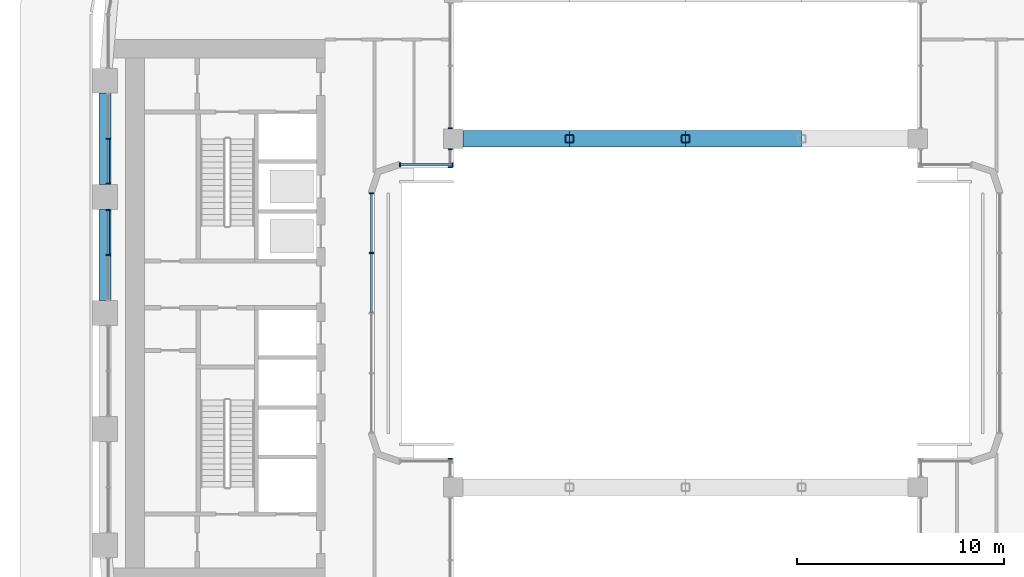
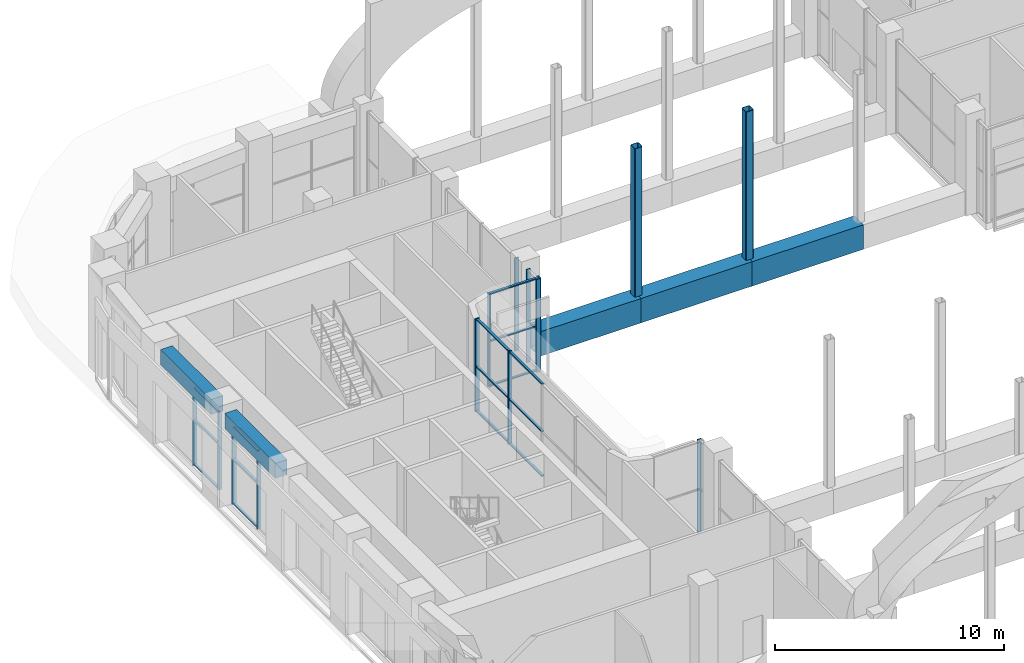
# One storey, part 4 of 28: 32 members, 2 beams, 7 elements without a shape of their own.
"""IFC4 building model written with IfcOpenShell, lengths in metres."""

from ifc_helpers import new_model, si_unit, direction, frame, origin, origin_2d, place, context, subcontext, project, spatial, rectangle, hollow_rectangle, extrude, material, layer, layer_set, material_profile, profile_set, type_object, element, aggregate, save


model = new_model("IFC4")

# Units and contexts
model_context = context("Model", 3, precision=1e-05, world=origin(), true_north=direction((0.0, 1.0)))
body_context = subcontext(model_context, "Body", "Model", "MODEL_VIEW")
ifc_project = project(units=[si_unit("LENGTHUNIT", "METRE"), si_unit("AREAUNIT", "SQUARE_METRE"), si_unit("VOLUMEUNIT", "CUBIC_METRE"), si_unit("PLANEANGLEUNIT", "RADIAN"), si_unit("MASSUNIT", "GRAM", prefix="KILO")], contexts=[model_context])

# Site, building, storey
site_placement = place(None, origin())
site = spatial("IfcSite", under=ifc_project, at=site_placement, CompositionType="ELEMENT")
building_placement = place(site_placement, origin())
building = spatial("IfcBuilding", under=site, at=building_placement, Name="Kiln Ring Residences", CompositionType="ELEMENT")
storey_placement = place(building_placement, frame((0.0, 0.0, 125.300048828125)))
storey = spatial("IfcBuildingStorey", under=building, at=storey_placement, Name="L32", CompositionType="ELEMENT", Elevation=125.300048828125)

# Members
ifc_material_1 = material(Name="Steel S460", Category="steel")
ifc_material_profile_1 = material_profile(ifc_material_1, hollow_rectangle(XDim=0.800048828125, YDim=1.300048828125, WallThickness=0.070068359375, at=origin_2d()), Name="BOX1300x800x70")
ifc_profile_set_1 = profile_set([ifc_material_profile_1], Name="Steel S460")
member_type_1 = type_object("IfcMemberType", Name="Bridge truss chord BOX1300x800x70 S460", PredefinedType="CHORD", material=ifc_profile_set_1)
member_1_placement = place(storey_placement, frame((-10.72509765625, 8.39990234375, 0.64990234375), z_axis=(1.0, 0.0, 0.0), x_axis=(0.0, 1.0, 0.0)))
element("IfcMember", 1, at=member_1_placement, inside=storey, type_object=member_type_1, Name="Bridge truss chord L32 21", PredefinedType="CHORD", context=body_context, shape_type="SweptSolid", body=[
    extrude(hollow_rectangle(XDim=0.800048828125, YDim=1.300048828125, WallThickness=0.070068359375, at=origin_2d()), origin(), (0.0, 0.0, 1.0), 5.125),
])
for number, where, z_axis, x_axis, name in (
    (2, (-5.60009765625, 8.39990234375, 0.64990234375), (1.0, 0.0, 0.0), (0.0, 1.0, 0.0), "Bridge truss chord L32 22"),
    (3, (0.0, 8.39990234375, 0.64990234375), (1.0, 0.0, 0.0), (0.0, 1.0, 0.0), "Bridge truss chord L32 23"),
):
    element("IfcMember", number, at=place(storey_placement, frame(where, z_axis=z_axis, x_axis=x_axis)), inside=storey, type_object=member_type_1, Name=name, PredefinedType="CHORD", context=body_context, shape_type="SweptSolid", body=[
        extrude(hollow_rectangle(XDim=0.800048828125, YDim=1.300048828125, WallThickness=0.070068359375, at=origin_2d()), origin(), (0.0, 0.0, 1.0), 5.60009765625),
    ])
ifc_material_2 = material(Name="Steel S355", Category="steel")
ifc_material_profile_2 = material_profile(ifc_material_2, hollow_rectangle(XDim=0.39990234375, YDim=0.39990234375, WallThickness=0.02490234375, InnerFilletRadius=0.02490234375, OuterFilletRadius=0.0625, at=origin_2d()), Name="SHS400x400x25")
ifc_profile_set_2 = profile_set([ifc_material_profile_2], Name="Steel S355")
member_type_2 = type_object("IfcMemberType", Name="Bridge truss post SHS400x400x25 S355", PredefinedType="POST", material=ifc_profile_set_2)
for number, where, z_axis, x_axis, name in (
    (4, (-5.60009765625, 8.39990234375, 1.300048828125), (0.0, 0.0, 1.0), (1.0, 0.0, 0.0), "Bridge truss post L32 16"),
    (5, (0.0, 8.39990234375, 1.300048828125), (0.0, 0.0, 1.0), (1.0, 0.0, 0.0), "Bridge truss post L32 17"),
):
    element("IfcMember", number, at=place(storey_placement, frame(where, z_axis=z_axis, x_axis=x_axis)), inside=storey, type_object=member_type_2, Name=name, PredefinedType="POST", context=body_context, shape_type="SweptSolid", body=[
        extrude(hollow_rectangle(XDim=0.39990234375, YDim=0.39990234375, WallThickness=0.02490234375, InnerFilletRadius=0.02490234375, OuterFilletRadius=0.0625, at=origin_2d()), origin(), (0.0, 0.0, 1.0), 7.89990234375),
    ])

# Curtain wall, member
ifc_material_3 = material(Name="Aluminium and glass", Category="aluminium")
ifc_layer = layer(ifc_material_3, 0.199951171875)
ifc_layer_set = layer_set([ifc_layer], Name="CW1 CURTAIN WALL")
curtain_wall_type = type_object("IfcCurtainWallType", Name="CW1 CURTAIN WALL", PredefinedType="NOTDEFINED", material=ifc_layer_set)
placement = place(storey_placement, origin())
curtain_wall_1 = element("IfcCurtainWall", 6, at=placement, inside=storey, type_object=curtain_wall_type, Name="Curtain wall CW1 L32", PredefinedType="NOTDEFINED")
ifc_material_4 = material(Name="Aluminium 6063-T6", Category="aluminium")
ifc_material_profile_3 = material_profile(ifc_material_4, rectangle(XDim=0.199951171875, YDim=0.06005859375, at=origin_2d()), Name="AL 200x60")
ifc_profile_set_3 = profile_set([ifc_material_profile_3], Name="Aluminium 6063-T6")
member_type_3 = type_object("IfcMemberType", Name="CW1 MULLION 200 x 60", PredefinedType="MULLION", material=ifc_profile_set_3)
member_2_placement = place(storey_placement, frame((-11.35009765625, -7.030029296875, 0.0), z_axis=(0.0, 0.0, 1.0), x_axis=(-1.0, 0.0, 0.0)))
member_2 = element("IfcMember", 7, at=member_2_placement, type_object=member_type_3, Name="CW1 mullion 2", PredefinedType="MULLION", context=body_context, shape_type="SweptSolid", body=[
    extrude(rectangle(XDim=0.199951171875, YDim=0.06005859375, at=origin_2d()), origin(), (0.0, 0.0, 1.0), 4.949951171875),
])
aggregate(curtain_wall_1, [member_2])

# Curtain wall, members
curtain_wall_2 = element("IfcCurtainWall", 8, at=placement, inside=storey, type_object=curtain_wall_type, Name="Curtain wall CW1 L32", PredefinedType="NOTDEFINED")
member_3_placement = place(storey_placement, frame((-15.14990234375, 2.89990234375, 0.0), z_axis=(0.0, 0.0, 1.0), x_axis=(-1.0, 0.0, 0.0)))
member_3 = element("IfcMember", 9, at=member_3_placement, type_object=member_type_3, Name="CW1 mullion 4", PredefinedType="MULLION", context=body_context, shape_type="SweptSolid", body=[
    extrude(rectangle(XDim=0.199951171875, YDim=0.06005859375, at=origin_2d()), origin(), (0.0, 0.0, 1.0), 4.949951171875),
])
member_4_placement = place(storey_placement, frame((-15.14990234375, 5.77001953125, 0.0), z_axis=(0.0, 0.0, 1.0), x_axis=(-1.0, 0.0, 0.0)))
member_4 = element("IfcMember", 10, at=member_4_placement, type_object=member_type_3, Name="CW1 mullion 5", PredefinedType="MULLION", context=body_context, shape_type="SweptSolid", body=[
    extrude(rectangle(XDim=0.199951171875, YDim=0.06005859375, at=origin_2d()), origin(), (0.0, 0.0, 1.0), 4.949951171875),
])

curtain_wall_3 = element("IfcCurtainWall", 11, at=placement, inside=storey, type_object=curtain_wall_type, Name="Curtain wall CW1 L32", PredefinedType="NOTDEFINED")
member_5_placement = place(storey_placement, frame((-13.77001953125, 7.14990234375, 0.0), z_axis=(0.0, 0.0, 1.0), x_axis=(0.0, 1.0, 0.0)))
member_5 = element("IfcMember", 12, at=member_5_placement, type_object=member_type_3, Name="CW1 mullion 1", PredefinedType="MULLION", context=body_context, shape_type="SweptSolid", body=[
    extrude(rectangle(XDim=0.199951171875, YDim=0.06005859375, at=origin_2d()), origin(), (0.0, 0.0, 1.0), 4.949951171875),
])
member_6_placement = place(storey_placement, frame((-11.22998046875, 7.14990234375, 0.0), z_axis=(0.0, 0.0, 1.0), x_axis=(0.0, 1.0, 0.0)))
member_6 = element("IfcMember", 13, at=member_6_placement, type_object=member_type_3, Name="CW1 mullion 2", PredefinedType="MULLION", context=body_context, shape_type="SweptSolid", body=[
    extrude(rectangle(XDim=0.199951171875, YDim=0.06005859375, at=origin_2d()), origin(), (0.0, 0.0, 1.0), 4.949951171875),
])

curtain_wall_4 = element("IfcCurtainWall", 14, at=placement, inside=storey, type_object=curtain_wall_type, Name="Curtain wall CW1 L32", PredefinedType="NOTDEFINED")
member_7_placement = place(storey_placement, frame((-11.35009765625, 7.030029296875, 0.0), z_axis=(0.0, 0.0, 1.0), x_axis=(-1.0, 0.0, 0.0)))
member_7 = element("IfcMember", 15, at=member_7_placement, type_object=member_type_3, Name="CW1 mullion 1", PredefinedType="MULLION", context=body_context, shape_type="SweptSolid", body=[
    extrude(rectangle(XDim=0.199951171875, YDim=0.06005859375, at=origin_2d()), origin(), (0.0, 0.0, 1.0), 4.949951171875),
])
member_8_placement = place(storey_placement, frame((-11.35009765625, 7.89501953125, 0.0), z_axis=(0.0, 0.0, 1.0), x_axis=(-1.0, 0.0, 0.0)))
member_8 = element("IfcMember", 16, at=member_8_placement, type_object=member_type_3, Name="CW1 mullion 2", PredefinedType="MULLION", context=body_context, shape_type="SweptSolid", body=[
    extrude(rectangle(XDim=0.199951171875, YDim=0.06005859375, at=origin_2d()), origin(), (0.0, 0.0, 1.0), 4.949951171875),
])
aggregate(curtain_wall_4, [member_7, member_8])

# Curtain wall, member
curtain_wall_5 = element("IfcCurtainWall", 17, at=placement, inside=storey, type_object=curtain_wall_type, Name="Curtain wall CW1 L32", PredefinedType="NOTDEFINED")
member_9_placement = place(storey_placement, frame((-11.35009765625, 8.905029296875, 0.0), z_axis=(0.0, 0.0, 1.0), x_axis=(-1.0, 0.0, 0.0)))
member_9 = element("IfcMember", 18, at=member_9_placement, type_object=member_type_3, Name="CW1 mullion 1", PredefinedType="MULLION", context=body_context, shape_type="SweptSolid", body=[
    extrude(rectangle(XDim=0.199951171875, YDim=0.06005859375, at=origin_2d()), origin(), (0.0, 0.0, 1.0), 4.949951171875),
])
aggregate(curtain_wall_5, [member_9])

# Curtain wall, members
curtain_wall_6 = element("IfcCurtainWall", 19, at=placement, inside=storey, type_object=curtain_wall_type, Name="Curtain wall CW1 L32", PredefinedType="NOTDEFINED")
member_10_placement = place(storey_placement, frame((-27.85009765625, 8.39990234375, 0.0), z_axis=(0.0, 0.0, 1.0), x_axis=(1.0, 0.0, 0.0)))
member_10 = element("IfcMember", 20, at=member_10_placement, type_object=member_type_3, Name="CW1 mullion 2", PredefinedType="MULLION", context=body_context, shape_type="SweptSolid", body=[
    extrude(rectangle(XDim=0.199951171875, YDim=0.06005859375, at=origin_2d()), origin(), (0.0, 0.0, 1.0), 4.14990234375),
])
member_11_placement = place(storey_placement, frame((-27.85009765625, 6.22998046875, 0.0), z_axis=(0.0, 0.0, 1.0), x_axis=(1.0, 0.0, 0.0)))
member_11 = element("IfcMember", 21, at=member_11_placement, type_object=member_type_3, Name="CW1 mullion 3", PredefinedType="MULLION", context=body_context, shape_type="SweptSolid", body=[
    extrude(rectangle(XDim=0.199951171875, YDim=0.06005859375, at=origin_2d()), origin(), (0.0, 0.0, 1.0), 4.14990234375),
])

curtain_wall_7 = element("IfcCurtainWall", 22, at=placement, inside=storey, type_object=curtain_wall_type, Name="Curtain wall CW1 L32", PredefinedType="NOTDEFINED")
member_12_placement = place(storey_placement, frame((-27.85009765625, 4.969970703125, 0.0), z_axis=(0.0, 0.0, 1.0), x_axis=(1.0, 0.0, 0.0)))
member_12 = element("IfcMember", 23, at=member_12_placement, type_object=member_type_3, Name="CW1 mullion 1", PredefinedType="MULLION", context=body_context, shape_type="SweptSolid", body=[
    extrude(rectangle(XDim=0.199951171875, YDim=0.06005859375, at=origin_2d()), origin(), (0.0, 0.0, 1.0), 4.14990234375),
])
member_13_placement = place(storey_placement, frame((-27.85009765625, 2.800048828125, 0.0), z_axis=(0.0, 0.0, 1.0), x_axis=(1.0, 0.0, 0.0)))
member_13 = element("IfcMember", 24, at=member_13_placement, type_object=member_type_3, Name="CW1 mullion 2", PredefinedType="MULLION", context=body_context, shape_type="SweptSolid", body=[
    extrude(rectangle(XDim=0.199951171875, YDim=0.06005859375, at=origin_2d()), origin(), (0.0, 0.0, 1.0), 4.14990234375),
])

# Member
ifc_material_5 = material(Name="Aluminium 6063-T6", Category="aluminium")
ifc_material_profile_4 = material_profile(ifc_material_5, rectangle(XDim=0.1201171875, YDim=0.06005859375, at=origin_2d()), Name="AL 120x60")
ifc_profile_set_4 = profile_set([ifc_material_profile_4], Name="Aluminium 6063-T6")
member_type_4 = type_object("IfcMemberType", Name="CW1 TRANSOM 120 x 60", PredefinedType="USERDEFINED", material=ifc_profile_set_4)
member_14_placement = place(storey_placement, frame((-15.14990234375, 0.030029296875, 0.030029296875), z_axis=(0.0, 1.0, 0.0), x_axis=(-1.0, 0.0, 0.0)))
member_14 = element("IfcMember", 25, at=member_14_placement, type_object=member_type_4, Name="CW1 transom 3.1", ObjectType="TRANSOM", PredefinedType="USERDEFINED", context=body_context, shape_type="SweptSolid", body=[
    extrude(rectangle(XDim=0.1201171875, YDim=0.06005859375, at=origin_2d()), origin(), (0.0, 0.0, 1.0), 2.840087890625),
])

member_15_placement = place(storey_placement, frame((-15.14990234375, 0.030029296875, 2.39990234375), z_axis=(0.0, 1.0, 0.0), x_axis=(-1.0, 0.0, 0.0)))
member_15 = element("IfcMember", 26, at=member_15_placement, type_object=member_type_4, Name="CW1 transom 3.2", ObjectType="TRANSOM", PredefinedType="USERDEFINED", context=body_context, shape_type="SweptSolid", body=[
    extrude(rectangle(XDim=0.1201171875, YDim=0.06005859375, at=origin_2d()), origin(), (0.0, 0.0, 1.0), 2.840087890625),
])

member_16_placement = place(storey_placement, frame((-15.14990234375, 0.030029296875, 4.919921875), z_axis=(0.0, 1.0, 0.0), x_axis=(-1.0, 0.0, 0.0)))
member_16 = element("IfcMember", 27, at=member_16_placement, type_object=member_type_4, Name="CW1 transom 3.3", ObjectType="TRANSOM", PredefinedType="USERDEFINED", context=body_context, shape_type="SweptSolid", body=[
    extrude(rectangle(XDim=0.1201171875, YDim=0.06005859375, at=origin_2d()), origin(), (0.0, 0.0, 1.0), 2.840087890625),
])

member_17_placement = place(storey_placement, frame((-15.14990234375, 2.929931640625, 0.030029296875), z_axis=(0.0, 1.0, 0.0), x_axis=(-1.0, 0.0, 0.0)))
member_17 = element("IfcMember", 28, at=member_17_placement, type_object=member_type_4, Name="CW1 transom 4.1", ObjectType="TRANSOM", PredefinedType="USERDEFINED", context=body_context, shape_type="SweptSolid", body=[
    extrude(rectangle(XDim=0.1201171875, YDim=0.06005859375, at=origin_2d()), origin(), (0.0, 0.0, 1.0), 2.81005859375),
])

member_18_placement = place(storey_placement, frame((-15.14990234375, 2.929931640625, 2.39990234375), z_axis=(0.0, 1.0, 0.0), x_axis=(-1.0, 0.0, 0.0)))
member_18 = element("IfcMember", 29, at=member_18_placement, type_object=member_type_4, Name="CW1 transom 4.2", ObjectType="TRANSOM", PredefinedType="USERDEFINED", context=body_context, shape_type="SweptSolid", body=[
    extrude(rectangle(XDim=0.1201171875, YDim=0.06005859375, at=origin_2d()), origin(), (0.0, 0.0, 1.0), 2.81005859375),
])

member_19_placement = place(storey_placement, frame((-15.14990234375, 2.929931640625, 4.919921875), z_axis=(0.0, 1.0, 0.0), x_axis=(-1.0, 0.0, 0.0)))
member_19 = element("IfcMember", 30, at=member_19_placement, type_object=member_type_4, Name="CW1 transom 4.3", ObjectType="TRANSOM", PredefinedType="USERDEFINED", context=body_context, shape_type="SweptSolid", body=[
    extrude(rectangle(XDim=0.1201171875, YDim=0.06005859375, at=origin_2d()), origin(), (0.0, 0.0, 1.0), 2.81005859375),
])

aggregate(curtain_wall_2, [member_3, member_4, member_14, member_15, member_16, member_17, member_18, member_19])

member_20_placement = place(storey_placement, frame((-13.739990234375, 7.14990234375, 0.030029296875), z_axis=(1.0, 0.0, 0.0), x_axis=(0.0, 1.0, 0.0)))
member_20 = element("IfcMember", 31, at=member_20_placement, type_object=member_type_4, Name="CW1 transom 1.1", ObjectType="TRANSOM", PredefinedType="USERDEFINED", context=body_context, shape_type="SweptSolid", body=[
    extrude(rectangle(XDim=0.1201171875, YDim=0.06005859375, at=origin_2d()), origin(), (0.0, 0.0, 1.0), 2.47998046875),
])

member_21_placement = place(storey_placement, frame((-13.739990234375, 7.14990234375, 2.39990234375), z_axis=(1.0, 0.0, 0.0), x_axis=(0.0, 1.0, 0.0)))
member_21 = element("IfcMember", 32, at=member_21_placement, type_object=member_type_4, Name="CW1 transom 1.2", ObjectType="TRANSOM", PredefinedType="USERDEFINED", context=body_context, shape_type="SweptSolid", body=[
    extrude(rectangle(XDim=0.1201171875, YDim=0.06005859375, at=origin_2d()), origin(), (0.0, 0.0, 1.0), 2.47998046875),
])

member_22_placement = place(storey_placement, frame((-13.739990234375, 7.14990234375, 4.919921875), z_axis=(1.0, 0.0, 0.0), x_axis=(0.0, 1.0, 0.0)))
member_22 = element("IfcMember", 33, at=member_22_placement, type_object=member_type_4, Name="CW1 transom 1.3", ObjectType="TRANSOM", PredefinedType="USERDEFINED", context=body_context, shape_type="SweptSolid", body=[
    extrude(rectangle(XDim=0.1201171875, YDim=0.06005859375, at=origin_2d()), origin(), (0.0, 0.0, 1.0), 2.47998046875),
])

aggregate(curtain_wall_3, [member_5, member_6, member_20, member_21, member_22])

member_23_placement = place(storey_placement, frame((-27.85009765625, 8.3701171875, 0.030029296875), z_axis=(0.0, -1.0, 0.0), x_axis=(1.0, 0.0, 0.0)))
member_23 = element("IfcMember", 34, at=member_23_placement, type_object=member_type_4, Name="CW1 transom 2.1", ObjectType="TRANSOM", PredefinedType="USERDEFINED", context=body_context, shape_type="SweptSolid", body=[
    extrude(rectangle(XDim=0.1201171875, YDim=0.06005859375, at=origin_2d()), origin(), (0.0, 0.0, 1.0), 2.110107421875),
])

member_24_placement = place(storey_placement, frame((-27.85009765625, 8.3701171875, 2.39990234375), z_axis=(0.0, -1.0, 0.0), x_axis=(1.0, 0.0, 0.0)))
member_24 = element("IfcMember", 35, at=member_24_placement, type_object=member_type_4, Name="CW1 transom 2.2", ObjectType="TRANSOM", PredefinedType="USERDEFINED", context=body_context, shape_type="SweptSolid", body=[
    extrude(rectangle(XDim=0.1201171875, YDim=0.06005859375, at=origin_2d()), origin(), (0.0, 0.0, 1.0), 2.110107421875),
])

member_25_placement = place(storey_placement, frame((-27.85009765625, 8.3701171875, 4.119873046875), z_axis=(0.0, -1.0, 0.0), x_axis=(1.0, 0.0, 0.0)))
member_25 = element("IfcMember", 36, at=member_25_placement, type_object=member_type_4, Name="CW1 transom 2.3", ObjectType="TRANSOM", PredefinedType="USERDEFINED", context=body_context, shape_type="SweptSolid", body=[
    extrude(rectangle(XDim=0.1201171875, YDim=0.06005859375, at=origin_2d()), origin(), (0.0, 0.0, 1.0), 2.110107421875),
])

aggregate(curtain_wall_6, [member_10, member_11, member_23, member_24, member_25])

member_26_placement = place(storey_placement, frame((-27.85009765625, 4.93994140625, 0.030029296875), z_axis=(0.0, -1.0, 0.0), x_axis=(1.0, 0.0, 0.0)))
member_26 = element("IfcMember", 37, at=member_26_placement, type_object=member_type_4, Name="CW1 transom 1.1", ObjectType="TRANSOM", PredefinedType="USERDEFINED", context=body_context, shape_type="SweptSolid", body=[
    extrude(rectangle(XDim=0.1201171875, YDim=0.06005859375, at=origin_2d()), origin(), (0.0, 0.0, 1.0), 2.10986328125),
])

member_27_placement = place(storey_placement, frame((-27.85009765625, 4.93994140625, 2.39990234375), z_axis=(0.0, -1.0, 0.0), x_axis=(1.0, 0.0, 0.0)))
member_27 = element("IfcMember", 38, at=member_27_placement, type_object=member_type_4, Name="CW1 transom 1.2", ObjectType="TRANSOM", PredefinedType="USERDEFINED", context=body_context, shape_type="SweptSolid", body=[
    extrude(rectangle(XDim=0.1201171875, YDim=0.06005859375, at=origin_2d()), origin(), (0.0, 0.0, 1.0), 2.10986328125),
])

member_28_placement = place(storey_placement, frame((-27.85009765625, 4.93994140625, 4.119873046875), z_axis=(0.0, -1.0, 0.0), x_axis=(1.0, 0.0, 0.0)))
member_28 = element("IfcMember", 39, at=member_28_placement, type_object=member_type_4, Name="CW1 transom 1.3", ObjectType="TRANSOM", PredefinedType="USERDEFINED", context=body_context, shape_type="SweptSolid", body=[
    extrude(rectangle(XDim=0.1201171875, YDim=0.06005859375, at=origin_2d()), origin(), (0.0, 0.0, 1.0), 2.10986328125),
])

aggregate(curtain_wall_7, [member_12, member_13, member_26, member_27, member_28])

# Beams
ifc_material_6 = material(Name="Concrete C50/60", Category="concrete")
ifc_material_profile_5 = material_profile(ifc_material_6, rectangle(XDim=0.60009765625, YDim=0.800048828125, at=origin_2d()), Name="RC600x800")
ifc_profile_set_5 = profile_set([ifc_material_profile_5], Name="Concrete C50/60")
beam_type = type_object("IfcBeamType", Name="Spandrel beam RC600x800 C50/60", PredefinedType="SPANDREL", material=ifc_profile_set_5)
beam_1_placement = place(storey_placement, frame((-28.0, 10.60009765625, 4.550048828125), z_axis=(0.0, -1.0, 0.0), x_axis=(1.0, 0.0, 0.0)))
element("IfcBeam", 40, at=beam_1_placement, inside=storey, type_object=beam_type, Name="Spandrel beam L32 19", PredefinedType="SPANDREL", context=body_context, shape_type="SweptSolid", body=[
    extrude(rectangle(XDim=0.60009765625, YDim=0.800048828125, at=origin_2d()), origin(), (0.0, 0.0, 1.0), 4.400146484375),
])
beam_2_placement = place(storey_placement, frame((-28.0, 5.0, 4.550048828125), z_axis=(0.0, -1.0, 0.0), x_axis=(1.0, 0.0, 0.0)))
element("IfcBeam", 41, at=beam_2_placement, inside=storey, type_object=beam_type, Name="Spandrel beam L32 20", PredefinedType="SPANDREL", context=body_context, shape_type="SweptSolid", body=[
    extrude(rectangle(XDim=0.60009765625, YDim=0.800048828125, at=origin_2d()), origin(), (0.0, 0.0, 1.0), 4.39990234375),
])

save(model, "model.ifc")
